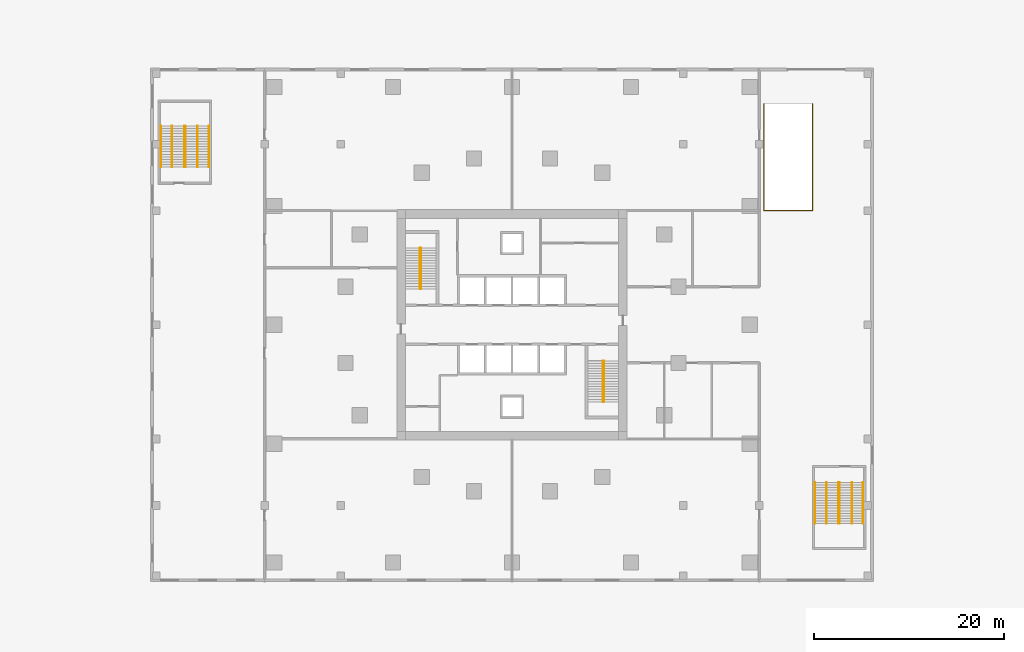
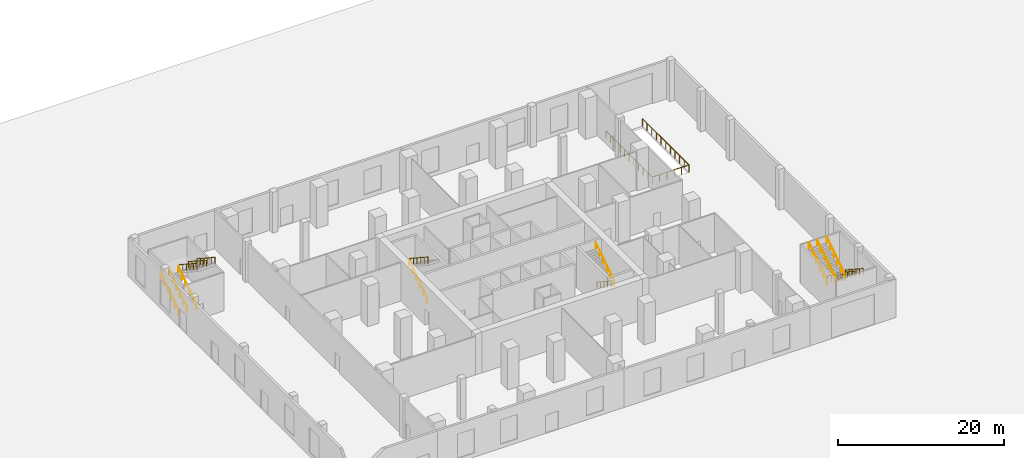
# One storey, part 8 of 8: 17 railings, 4 elements without a shape of their own.
"""IFC4 building model written with IfcOpenShell, lengths in metres."""

from ifc_helpers import new_model, si_unit, direction, frame, origin, origin_2d, place, context, subcontext, project, spatial, circle, extrude, material, type_object, element, aggregate, save


model = new_model("IFC4")

# Units and contexts
model_context = context("Model", 3, precision=1e-05, world=origin(), true_north=direction((0.0, 1.0)))
body_context = subcontext(model_context, "Body", "Model", "MODEL_VIEW")
ifc_project = project(units=[si_unit("LENGTHUNIT", "METRE"), si_unit("AREAUNIT", "SQUARE_METRE"), si_unit("VOLUMEUNIT", "CUBIC_METRE"), si_unit("PLANEANGLEUNIT", "RADIAN"), si_unit("MASSUNIT", "GRAM", prefix="KILO")], contexts=[model_context])

# Site, building, storey
site_placement = place(None, origin())
site = spatial("IfcSite", under=ifc_project, at=site_placement, CompositionType="ELEMENT")
building_placement = place(site_placement, origin())
building = spatial("IfcBuilding", under=site, at=building_placement, Name="Torsade Residences", CompositionType="ELEMENT")
storey_placement = place(building_placement, origin())
storey = spatial("IfcBuildingStorey", under=building, at=storey_placement, Name="L00", CompositionType="ELEMENT", Elevation=0.0)

# Railing
ifc_material_1 = material(Name="Galvanised steel guard rail", Category="steel")
railing_type_1 = type_object("IfcRailingType", Name="RAMP OPENING GUARD 1100", PredefinedType="GUARDRAIL", material=ifc_material_1)
railing_1_placement = place(storey_placement, frame((66.5, 53.199951171875, 0.0)))
element("IfcRailing", 1, at=railing_1_placement, inside=storey, type_object=railing_type_1, Name="Ramp opening guard R2 L00", PredefinedType="GUARDRAIL", context=body_context, shape_type="SweptSolid", body=[
    extrude(circle(Radius=0.02392578125, at=origin_2d()), frame((0.0, 0.0, 1.076171875), z_axis=(0.0, -1.0, 0.0), x_axis=(1.0, 0.0, 0.0)), (0.0, 0.0, 1.0), 11.199951171875),
    extrude(circle(Radius=0.02392578125, at=origin_2d()), frame((0.0, -11.199951171875, 1.076171875), z_axis=(1.0, 0.0, 0.0), x_axis=(0.0, 1.0, 0.0)), (0.0, 0.0, 1.0), 5.10009765625),
    extrude(circle(Radius=0.02392578125, at=origin_2d()), frame((5.10009765625, -11.199951171875, 1.076171875), z_axis=(0.0, 1.0, 0.0), x_axis=(-1.0, 0.0, 0.0)), (0.0, 0.0, 1.0), 11.199951171875),
    extrude(circle(Radius=0.02099609375, at=origin_2d()), origin(), (0.0, 0.0, 1.0), 1.052001953125),
    extrude(circle(Radius=0.02099609375, at=origin_2d()), frame((0.0, -1.1201171875, 0.0)), (0.0, 0.0, 1.0), 1.052001953125),
    extrude(circle(Radius=0.02099609375, at=origin_2d()), frame((0.0, -2.239990234375, 0.0)), (0.0, 0.0, 1.0), 1.052001953125),
    extrude(circle(Radius=0.02099609375, at=origin_2d()), frame((0.0, -3.35986328125, 0.0)), (0.0, 0.0, 1.0), 1.052001953125),
    extrude(circle(Radius=0.02099609375, at=origin_2d()), frame((0.0, -4.47998046875, 0.0)), (0.0, 0.0, 1.0), 1.052001953125),
    extrude(circle(Radius=0.02099609375, at=origin_2d()), frame((0.0, -5.60009765625, 0.0)), (0.0, 0.0, 1.0), 1.052001953125),
    extrude(circle(Radius=0.02099609375, at=origin_2d()), frame((0.0, -6.719970703125, 0.0)), (0.0, 0.0, 1.0), 1.052001953125),
    extrude(circle(Radius=0.02099609375, at=origin_2d()), frame((0.0, -7.83984375, 0.0)), (0.0, 0.0, 1.0), 1.052001953125),
    extrude(circle(Radius=0.02099609375, at=origin_2d()), frame((0.0, -8.9599609375, 0.0)), (0.0, 0.0, 1.0), 1.052001953125),
    extrude(circle(Radius=0.02099609375, at=origin_2d()), frame((0.0, -10.080078125, 0.0)), (0.0, 0.0, 1.0), 1.052001953125),
    extrude(circle(Radius=0.02099609375, at=origin_2d()), frame((0.0, -11.199951171875, 0.0)), (0.0, 0.0, 1.0), 1.052001953125),
    extrude(circle(Radius=0.02099609375, at=origin_2d()), frame((1.02001953125, -11.199951171875, 0.0)), (0.0, 0.0, 1.0), 1.052001953125),
    extrude(circle(Radius=0.02099609375, at=origin_2d()), frame((2.0400390625, -11.199951171875, 0.0)), (0.0, 0.0, 1.0), 1.052001953125),
    extrude(circle(Radius=0.02099609375, at=origin_2d()), frame((3.06005859375, -11.199951171875, 0.0)), (0.0, 0.0, 1.0), 1.052001953125),
    extrude(circle(Radius=0.02099609375, at=origin_2d()), frame((4.080078125, -11.199951171875, 0.0)), (0.0, 0.0, 1.0), 1.052001953125),
    extrude(circle(Radius=0.02099609375, at=origin_2d()), frame((5.10009765625, -11.199951171875, 0.0)), (0.0, 0.0, 1.0), 1.052001953125),
    extrude(circle(Radius=0.02099609375, at=origin_2d()), frame((5.10009765625, -10.080078125, 0.0)), (0.0, 0.0, 1.0), 1.052001953125),
    extrude(circle(Radius=0.02099609375, at=origin_2d()), frame((5.10009765625, -8.9599609375, 0.0)), (0.0, 0.0, 1.0), 1.052001953125),
    extrude(circle(Radius=0.02099609375, at=origin_2d()), frame((5.10009765625, -7.83984375, 0.0)), (0.0, 0.0, 1.0), 1.052001953125),
    extrude(circle(Radius=0.02099609375, at=origin_2d()), frame((5.10009765625, -6.719970703125, 0.0)), (0.0, 0.0, 1.0), 1.052001953125),
    extrude(circle(Radius=0.02099609375, at=origin_2d()), frame((5.10009765625, -5.60009765625, 0.0)), (0.0, 0.0, 1.0), 1.052001953125),
    extrude(circle(Radius=0.02099609375, at=origin_2d()), frame((5.10009765625, -4.47998046875, 0.0)), (0.0, 0.0, 1.0), 1.052001953125),
    extrude(circle(Radius=0.02099609375, at=origin_2d()), frame((5.10009765625, -3.360107421875, 0.0)), (0.0, 0.0, 1.0), 1.052001953125),
    extrude(circle(Radius=0.02099609375, at=origin_2d()), frame((5.10009765625, -2.239990234375, 0.0)), (0.0, 0.0, 1.0), 1.052001953125),
    extrude(circle(Radius=0.02099609375, at=origin_2d()), frame((5.10009765625, -1.1201171875, 0.0)), (0.0, 0.0, 1.0), 1.052001953125),
    extrude(circle(Radius=0.02099609375, at=origin_2d()), frame((5.10009765625, 0.0, 0.0)), (0.0, 0.0, 1.0), 1.052001953125),
])

# Stair, railings
ifc_material_2 = material(Name="Precast concrete 40 MPa", Category="concrete")
stair_type_1 = type_object("IfcStairType", Name="HALF-TURN FIRE STAIR 1500x6000", PredefinedType="HALF_TURN_STAIR", material=ifc_material_2)
stair_1_placement = place(storey_placement, origin())
stair_1 = element("IfcStair", 2, at=stair_1_placement, inside=storey, type_object=stair_type_1, Name="Stair ST1 L00", PredefinedType="HALF_TURN_STAIR")
ifc_material_3 = material(Name="Steel handrail", Category="steel")
railing_type_2 = type_object("IfcRailingType", Name="STAIR HANDRAIL 900", PredefinedType="HANDRAIL", material=ifc_material_3)
railing_2_placement = place(storey_placement, frame((30.35009765625, 33.780029296875, 0.176513671875)))
railing_2 = element("IfcRailing", 3, at=railing_2_placement, type_object=railing_type_2, Name="Handrail ST1 flight 1 L00", PredefinedType="HANDRAIL", context=body_context, shape_type="SweptSolid", body=[
    extrude(circle(Radius=0.02392578125, at=origin_2d()), frame((0.0, 0.0, 0.8759765625), z_axis=(0.0, 0.837073769319, 0.547090033466), x_axis=(-1.0, 0.0, 0.0)), (0.0, 0.0, 1.0), 5.160888671875),
    extrude(circle(Radius=0.02099609375, at=origin_2d()), origin(), (0.0, 0.0, 1.0), 0.851806640625),
    extrude(circle(Radius=0.02099609375, at=origin_2d()), frame((0.0, 0.864013671875, 0.564697265625)), (0.0, 0.0, 1.0), 0.851806640625),
    extrude(circle(Radius=0.02099609375, at=origin_2d()), frame((0.0, 1.72802734375, 1.12939453125)), (0.0, 0.0, 1.0), 0.851806640625),
    extrude(circle(Radius=0.02099609375, at=origin_2d()), frame((0.0, 2.592041015625, 1.694091796875)), (0.0, 0.0, 1.0), 0.851806640625),
    extrude(circle(Radius=0.02099609375, at=origin_2d()), frame((0.0, 3.4560546875, 2.2587890625)), (0.0, 0.0, 1.0), 0.851806640625),
    extrude(circle(Radius=0.02099609375, at=origin_2d()), frame((0.0, 4.320068359375, 2.823486328125)), (0.0, 0.0, 1.0), 0.851806640625),
])
railing_3_placement = place(storey_placement, frame((30.449951171875, 38.10009765625, 3.176513671875)))
railing_3 = element("IfcRailing", 4, at=railing_3_placement, type_object=railing_type_2, Name="Handrail ST1 flight 2 L00", PredefinedType="HANDRAIL", context=body_context, shape_type="SweptSolid", body=[
    extrude(circle(Radius=0.02392578125, at=origin_2d()), frame((0.0, 0.0, 0.8759765625), z_axis=(0.0, -0.837073769319, 0.547090033466), x_axis=(1.0, 0.0, 0.0)), (0.0, 0.0, 1.0), 5.160888671875),
    extrude(circle(Radius=0.02099609375, at=origin_2d()), origin(), (0.0, 0.0, 1.0), 0.851806640625),
    extrude(circle(Radius=0.02099609375, at=origin_2d()), frame((0.0, -0.864013671875, 0.564697265625)), (0.0, 0.0, 1.0), 0.851806640625),
    extrude(circle(Radius=0.02099609375, at=origin_2d()), frame((0.0, -1.72802734375, 1.12939453125)), (0.0, 0.0, 1.0), 0.851806640625),
    extrude(circle(Radius=0.02099609375, at=origin_2d()), frame((0.0, -2.592041015625, 1.694091796875)), (0.0, 0.0, 1.0), 0.851806640625),
    extrude(circle(Radius=0.02099609375, at=origin_2d()), frame((0.0, -3.4560546875, 2.2587890625)), (0.0, 0.0, 1.0), 0.851806640625),
    extrude(circle(Radius=0.02099609375, at=origin_2d()), frame((0.0, -4.320068359375, 2.823486328125)), (0.0, 0.0, 1.0), 0.851806640625),
])
aggregate(stair_1, [railing_2, railing_3])

stair_2_placement = place(storey_placement, origin())
stair_2 = element("IfcStair", 5, at=stair_2_placement, inside=storey, type_object=stair_type_1, Name="Stair ST2 L00", PredefinedType="HALF_TURN_STAIR")
railing_4_placement = place(storey_placement, frame((49.64990234375, 26.219970703125, 0.176513671875)))
railing_4 = element("IfcRailing", 6, at=railing_4_placement, type_object=railing_type_2, Name="Handrail ST2 flight 1 L00", PredefinedType="HANDRAIL", context=body_context, shape_type="SweptSolid", body=[
    extrude(circle(Radius=0.02392578125, at=origin_2d()), frame((0.0, 0.0, 0.8759765625), z_axis=(0.0, -0.837073769319, 0.547090033466), x_axis=(1.0, 0.0, 0.0)), (0.0, 0.0, 1.0), 5.160888671875),
    extrude(circle(Radius=0.02099609375, at=origin_2d()), origin(), (0.0, 0.0, 1.0), 0.851806640625),
    extrude(circle(Radius=0.02099609375, at=origin_2d()), frame((0.0, -0.864013671875, 0.564697265625)), (0.0, 0.0, 1.0), 0.851806640625),
    extrude(circle(Radius=0.02099609375, at=origin_2d()), frame((0.0, -1.72802734375, 1.12939453125)), (0.0, 0.0, 1.0), 0.851806640625),
    extrude(circle(Radius=0.02099609375, at=origin_2d()), frame((0.0, -2.592041015625, 1.694091796875)), (0.0, 0.0, 1.0), 0.851806640625),
    extrude(circle(Radius=0.02099609375, at=origin_2d()), frame((0.0, -3.4560546875, 2.2587890625)), (0.0, 0.0, 1.0), 0.851806640625),
    extrude(circle(Radius=0.02099609375, at=origin_2d()), frame((0.0, -4.320068359375, 2.823486328125)), (0.0, 0.0, 1.0), 0.851806640625),
])
railing_5_placement = place(storey_placement, frame((49.550048828125, 21.89990234375, 3.176513671875)))
railing_5 = element("IfcRailing", 7, at=railing_5_placement, type_object=railing_type_2, Name="Handrail ST2 flight 2 L00", PredefinedType="HANDRAIL", context=body_context, shape_type="SweptSolid", body=[
    extrude(circle(Radius=0.02392578125, at=origin_2d()), frame((0.0, 0.0, 0.8759765625), z_axis=(0.0, 0.837073769319, 0.547090033466), x_axis=(-1.0, 0.0, 0.0)), (0.0, 0.0, 1.0), 5.160888671875),
    extrude(circle(Radius=0.02099609375, at=origin_2d()), origin(), (0.0, 0.0, 1.0), 0.851806640625),
    extrude(circle(Radius=0.02099609375, at=origin_2d()), frame((0.0, 0.864013671875, 0.564697265625)), (0.0, 0.0, 1.0), 0.851806640625),
    extrude(circle(Radius=0.02099609375, at=origin_2d()), frame((0.0, 1.72802734375, 1.12939453125)), (0.0, 0.0, 1.0), 0.851806640625),
    extrude(circle(Radius=0.02099609375, at=origin_2d()), frame((0.0, 2.592041015625, 1.694091796875)), (0.0, 0.0, 1.0), 0.851806640625),
    extrude(circle(Radius=0.02099609375, at=origin_2d()), frame((0.0, 3.4560546875, 2.2587890625)), (0.0, 0.0, 1.0), 0.851806640625),
    extrude(circle(Radius=0.02099609375, at=origin_2d()), frame((0.0, 4.320068359375, 2.823486328125)), (0.0, 0.0, 1.0), 0.851806640625),
])
aggregate(stair_2, [railing_4, railing_5])

ifc_material_4 = material(Name="Concrete 40 MPa", Category="concrete")
stair_type_2 = type_object("IfcStairType", Name="HALF-TURN PODIUM STAIR 2500x6000", PredefinedType="HALF_TURN_STAIR", material=ifc_material_4)
stair_3_placement = place(storey_placement, origin())
stair_3 = element("IfcStair", 8, at=stair_3_placement, inside=storey, type_object=stair_type_2, Name="Stair ST3 L00", PredefinedType="HALF_TURN_STAIR")
railing_6_placement = place(storey_placement, frame((5.550048828125, 46.580078125, 0.176513671875)))
railing_6 = element("IfcRailing", 9, at=railing_6_placement, type_object=railing_type_2, Name="Handrail ST3 flight 1 L00", PredefinedType="HANDRAIL", context=body_context, shape_type="SweptSolid", body=[
    extrude(circle(Radius=0.02392578125, at=origin_2d()), frame((0.0, 0.0, 0.8759765625), z_axis=(0.0, 0.837059609537, 0.547111697994), x_axis=(-1.0, 0.0, 0.0)), (0.0, 0.0, 1.0), 5.16064453125),
    extrude(circle(Radius=0.02099609375, at=origin_2d()), origin(), (0.0, 0.0, 1.0), 0.851806640625),
    extrude(circle(Radius=0.02099609375, at=origin_2d()), frame((0.0, 0.864013671875, 0.564697265625)), (0.0, 0.0, 1.0), 0.851806640625),
    extrude(circle(Radius=0.02099609375, at=origin_2d()), frame((0.0, 1.72802734375, 1.12939453125)), (0.0, 0.0, 1.0), 0.851806640625),
    extrude(circle(Radius=0.02099609375, at=origin_2d()), frame((0.0, 2.591796875, 1.694091796875)), (0.0, 0.0, 1.0), 0.851806640625),
    extrude(circle(Radius=0.02099609375, at=origin_2d()), frame((0.0, 3.455810546875, 2.2587890625)), (0.0, 0.0, 1.0), 0.851806640625),
    extrude(circle(Radius=0.02099609375, at=origin_2d()), frame((0.0, 4.31982421875, 2.823486328125)), (0.0, 0.0, 1.0), 0.851806640625),
])
railing_7_placement = place(storey_placement, frame((3.073974609375, 46.580078125, 0.176513671875)))
railing_7 = element("IfcRailing", 10, at=railing_7_placement, type_object=railing_type_2, Name="Handrail ST3 flight 1 wall side L00", PredefinedType="HANDRAIL", context=body_context, shape_type="SweptSolid", body=[
    extrude(circle(Radius=0.02392578125, at=origin_2d()), frame((0.0, 0.0, 0.8759765625), z_axis=(0.0, 0.837059609537, 0.547111697994), x_axis=(-1.0, 0.0, 0.0)), (0.0, 0.0, 1.0), 5.16064453125),
    extrude(circle(Radius=0.02099609375, at=origin_2d()), origin(), (0.0, 0.0, 1.0), 0.851806640625),
    extrude(circle(Radius=0.02099609375, at=origin_2d()), frame((0.0, 0.864013671875, 0.564697265625)), (0.0, 0.0, 1.0), 0.851806640625),
    extrude(circle(Radius=0.02099609375, at=origin_2d()), frame((0.0, 1.72802734375, 1.12939453125)), (0.0, 0.0, 1.0), 0.851806640625),
    extrude(circle(Radius=0.02099609375, at=origin_2d()), frame((0.0, 2.591796875, 1.694091796875)), (0.0, 0.0, 1.0), 0.851806640625),
    extrude(circle(Radius=0.02099609375, at=origin_2d()), frame((0.0, 3.455810546875, 2.2587890625)), (0.0, 0.0, 1.0), 0.851806640625),
    extrude(circle(Radius=0.02099609375, at=origin_2d()), frame((0.0, 4.31982421875, 2.823486328125)), (0.0, 0.0, 1.0), 0.851806640625),
])
railing_8_placement = place(storey_placement, frame((4.25, 46.580078125, 0.176513671875)))
railing_8 = element("IfcRailing", 11, at=railing_8_placement, type_object=railing_type_2, Name="Handrail ST3 flight 1 intermediate L00", PredefinedType="HANDRAIL", context=body_context, shape_type="SweptSolid", body=[
    extrude(circle(Radius=0.02392578125, at=origin_2d()), frame((0.0, 0.0, 0.8759765625), z_axis=(0.0, 0.837059609537, 0.547111697994), x_axis=(-1.0, 0.0, 0.0)), (0.0, 0.0, 1.0), 5.16064453125),
    extrude(circle(Radius=0.02099609375, at=origin_2d()), origin(), (0.0, 0.0, 1.0), 0.851806640625),
    extrude(circle(Radius=0.02099609375, at=origin_2d()), frame((0.0, 0.864013671875, 0.564697265625)), (0.0, 0.0, 1.0), 0.851806640625),
    extrude(circle(Radius=0.02099609375, at=origin_2d()), frame((0.0, 1.72802734375, 1.12939453125)), (0.0, 0.0, 1.0), 0.851806640625),
    extrude(circle(Radius=0.02099609375, at=origin_2d()), frame((0.0, 2.591796875, 1.694091796875)), (0.0, 0.0, 1.0), 0.851806640625),
    extrude(circle(Radius=0.02099609375, at=origin_2d()), frame((0.0, 3.455810546875, 2.2587890625)), (0.0, 0.0, 1.0), 0.851806640625),
    extrude(circle(Radius=0.02099609375, at=origin_2d()), frame((0.0, 4.31982421875, 2.823486328125)), (0.0, 0.0, 1.0), 0.851806640625),
])
railing_9_placement = place(storey_placement, frame((5.64990234375, 50.89990234375, 3.176513671875)))
railing_9 = element("IfcRailing", 12, at=railing_9_placement, type_object=railing_type_2, Name="Handrail ST3 flight 2 L00", PredefinedType="HANDRAIL", context=body_context, shape_type="SweptSolid", body=[
    extrude(circle(Radius=0.02392578125, at=origin_2d()), frame((0.0, 0.0, 0.8759765625), z_axis=(0.0, -0.837059609537, 0.547111697994), x_axis=(1.0, 0.0, 0.0)), (0.0, 0.0, 1.0), 5.16064453125),
    extrude(circle(Radius=0.02099609375, at=origin_2d()), origin(), (0.0, 0.0, 1.0), 0.851806640625),
    extrude(circle(Radius=0.02099609375, at=origin_2d()), frame((0.0, -0.864013671875, 0.564697265625)), (0.0, 0.0, 1.0), 0.851806640625),
    extrude(circle(Radius=0.02099609375, at=origin_2d()), frame((0.0, -1.72802734375, 1.12939453125)), (0.0, 0.0, 1.0), 0.851806640625),
    extrude(circle(Radius=0.02099609375, at=origin_2d()), frame((0.0, -2.591796875, 1.694091796875)), (0.0, 0.0, 1.0), 0.851806640625),
    extrude(circle(Radius=0.02099609375, at=origin_2d()), frame((0.0, -3.455810546875, 2.2587890625)), (0.0, 0.0, 1.0), 0.851806640625),
    extrude(circle(Radius=0.02099609375, at=origin_2d()), frame((0.0, -4.31982421875, 2.823486328125)), (0.0, 0.0, 1.0), 0.851806640625),
])
railing_10_placement = place(storey_placement, frame((8.1259765625, 50.89990234375, 3.176513671875)))
railing_10 = element("IfcRailing", 13, at=railing_10_placement, type_object=railing_type_2, Name="Handrail ST3 flight 2 wall side L00", PredefinedType="HANDRAIL", context=body_context, shape_type="SweptSolid", body=[
    extrude(circle(Radius=0.02392578125, at=origin_2d()), frame((0.0, 0.0, 0.8759765625), z_axis=(0.0, -0.837059609537, 0.547111697994), x_axis=(1.0, 0.0, 0.0)), (0.0, 0.0, 1.0), 5.16064453125),
    extrude(circle(Radius=0.02099609375, at=origin_2d()), origin(), (0.0, 0.0, 1.0), 0.851806640625),
    extrude(circle(Radius=0.02099609375, at=origin_2d()), frame((0.0, -0.864013671875, 0.564697265625)), (0.0, 0.0, 1.0), 0.851806640625),
    extrude(circle(Radius=0.02099609375, at=origin_2d()), frame((0.0, -1.72802734375, 1.12939453125)), (0.0, 0.0, 1.0), 0.851806640625),
    extrude(circle(Radius=0.02099609375, at=origin_2d()), frame((0.0, -2.591796875, 1.694091796875)), (0.0, 0.0, 1.0), 0.851806640625),
    extrude(circle(Radius=0.02099609375, at=origin_2d()), frame((0.0, -3.455810546875, 2.2587890625)), (0.0, 0.0, 1.0), 0.851806640625),
    extrude(circle(Radius=0.02099609375, at=origin_2d()), frame((0.0, -4.31982421875, 2.823486328125)), (0.0, 0.0, 1.0), 0.851806640625),
])
railing_11_placement = place(storey_placement, frame((6.949951171875, 50.89990234375, 3.176513671875)))
railing_11 = element("IfcRailing", 14, at=railing_11_placement, type_object=railing_type_2, Name="Handrail ST3 flight 2 intermediate L00", PredefinedType="HANDRAIL", context=body_context, shape_type="SweptSolid", body=[
    extrude(circle(Radius=0.02392578125, at=origin_2d()), frame((0.0, 0.0, 0.8759765625), z_axis=(0.0, -0.837059609537, 0.547111697994), x_axis=(1.0, 0.0, 0.0)), (0.0, 0.0, 1.0), 5.16064453125),
    extrude(circle(Radius=0.02099609375, at=origin_2d()), origin(), (0.0, 0.0, 1.0), 0.851806640625),
    extrude(circle(Radius=0.02099609375, at=origin_2d()), frame((0.0, -0.864013671875, 0.564697265625)), (0.0, 0.0, 1.0), 0.851806640625),
    extrude(circle(Radius=0.02099609375, at=origin_2d()), frame((0.0, -1.72802734375, 1.12939453125)), (0.0, 0.0, 1.0), 0.851806640625),
    extrude(circle(Radius=0.02099609375, at=origin_2d()), frame((0.0, -2.591796875, 1.694091796875)), (0.0, 0.0, 1.0), 0.851806640625),
    extrude(circle(Radius=0.02099609375, at=origin_2d()), frame((0.0, -3.455810546875, 2.2587890625)), (0.0, 0.0, 1.0), 0.851806640625),
    extrude(circle(Radius=0.02099609375, at=origin_2d()), frame((0.0, -4.31982421875, 2.823486328125)), (0.0, 0.0, 1.0), 0.851806640625),
])
aggregate(stair_3, [railing_6, railing_7, railing_8, railing_9, railing_10, railing_11])

stair_4_placement = place(storey_placement, origin())
stair_4 = element("IfcStair", 15, at=stair_4_placement, inside=storey, type_object=stair_type_2, Name="Stair ST4 L00", PredefinedType="HALF_TURN_STAIR")
railing_12_placement = place(storey_placement, frame((74.449951171875, 13.419921875, 0.176513671875)))
railing_12 = element("IfcRailing", 16, at=railing_12_placement, type_object=railing_type_2, Name="Handrail ST4 flight 1 L00", PredefinedType="HANDRAIL", context=body_context, shape_type="SweptSolid", body=[
    extrude(circle(Radius=0.02392578125, at=origin_2d()), frame((0.0, 0.0, 0.8759765625), z_axis=(0.0, -0.837059609537, 0.547111697994), x_axis=(1.0, 0.0, 0.0)), (0.0, 0.0, 1.0), 5.16064453125),
    extrude(circle(Radius=0.02099609375, at=origin_2d()), origin(), (0.0, 0.0, 1.0), 0.851806640625),
    extrude(circle(Radius=0.02099609375, at=origin_2d()), frame((0.0, -0.864013671875, 0.564697265625)), (0.0, 0.0, 1.0), 0.851806640625),
    extrude(circle(Radius=0.02099609375, at=origin_2d()), frame((0.0, -1.72802734375, 1.12939453125)), (0.0, 0.0, 1.0), 0.851806640625),
    extrude(circle(Radius=0.02099609375, at=origin_2d()), frame((0.0, -2.591796875, 1.694091796875)), (0.0, 0.0, 1.0), 0.851806640625),
    extrude(circle(Radius=0.02099609375, at=origin_2d()), frame((0.0, -3.455810546875, 2.2587890625)), (0.0, 0.0, 1.0), 0.851806640625),
    extrude(circle(Radius=0.02099609375, at=origin_2d()), frame((0.0, -4.31982421875, 2.823486328125)), (0.0, 0.0, 1.0), 0.851806640625),
])
railing_13_placement = place(storey_placement, frame((76.926025390625, 13.419921875, 0.176513671875)))
railing_13 = element("IfcRailing", 17, at=railing_13_placement, type_object=railing_type_2, Name="Handrail ST4 flight 1 wall side L00", PredefinedType="HANDRAIL", context=body_context, shape_type="SweptSolid", body=[
    extrude(circle(Radius=0.02392578125, at=origin_2d()), frame((0.0, 0.0, 0.8759765625), z_axis=(0.0, -0.837059609537, 0.547111697994), x_axis=(1.0, 0.0, 0.0)), (0.0, 0.0, 1.0), 5.16064453125),
    extrude(circle(Radius=0.02099609375, at=origin_2d()), origin(), (0.0, 0.0, 1.0), 0.851806640625),
    extrude(circle(Radius=0.02099609375, at=origin_2d()), frame((0.0, -0.864013671875, 0.564697265625)), (0.0, 0.0, 1.0), 0.851806640625),
    extrude(circle(Radius=0.02099609375, at=origin_2d()), frame((0.0, -1.72802734375, 1.12939453125)), (0.0, 0.0, 1.0), 0.851806640625),
    extrude(circle(Radius=0.02099609375, at=origin_2d()), frame((0.0, -2.591796875, 1.694091796875)), (0.0, 0.0, 1.0), 0.851806640625),
    extrude(circle(Radius=0.02099609375, at=origin_2d()), frame((0.0, -3.455810546875, 2.2587890625)), (0.0, 0.0, 1.0), 0.851806640625),
    extrude(circle(Radius=0.02099609375, at=origin_2d()), frame((0.0, -4.31982421875, 2.823486328125)), (0.0, 0.0, 1.0), 0.851806640625),
])
railing_14_placement = place(storey_placement, frame((75.75, 13.419921875, 0.176513671875)))
railing_14 = element("IfcRailing", 18, at=railing_14_placement, type_object=railing_type_2, Name="Handrail ST4 flight 1 intermediate L00", PredefinedType="HANDRAIL", context=body_context, shape_type="SweptSolid", body=[
    extrude(circle(Radius=0.02392578125, at=origin_2d()), frame((0.0, 0.0, 0.8759765625), z_axis=(0.0, -0.837059609537, 0.547111697994), x_axis=(1.0, 0.0, 0.0)), (0.0, 0.0, 1.0), 5.16064453125),
    extrude(circle(Radius=0.02099609375, at=origin_2d()), origin(), (0.0, 0.0, 1.0), 0.851806640625),
    extrude(circle(Radius=0.02099609375, at=origin_2d()), frame((0.0, -0.864013671875, 0.564697265625)), (0.0, 0.0, 1.0), 0.851806640625),
    extrude(circle(Radius=0.02099609375, at=origin_2d()), frame((0.0, -1.72802734375, 1.12939453125)), (0.0, 0.0, 1.0), 0.851806640625),
    extrude(circle(Radius=0.02099609375, at=origin_2d()), frame((0.0, -2.591796875, 1.694091796875)), (0.0, 0.0, 1.0), 0.851806640625),
    extrude(circle(Radius=0.02099609375, at=origin_2d()), frame((0.0, -3.455810546875, 2.2587890625)), (0.0, 0.0, 1.0), 0.851806640625),
    extrude(circle(Radius=0.02099609375, at=origin_2d()), frame((0.0, -4.31982421875, 2.823486328125)), (0.0, 0.0, 1.0), 0.851806640625),
])
railing_15_placement = place(storey_placement, frame((74.35009765625, 9.10009765625, 3.176513671875)))
railing_15 = element("IfcRailing", 19, at=railing_15_placement, type_object=railing_type_2, Name="Handrail ST4 flight 2 L00", PredefinedType="HANDRAIL", context=body_context, shape_type="SweptSolid", body=[
    extrude(circle(Radius=0.02392578125, at=origin_2d()), frame((0.0, 0.0, 0.8759765625), z_axis=(0.0, 0.837059609537, 0.547111697994), x_axis=(-1.0, 0.0, 0.0)), (0.0, 0.0, 1.0), 5.16064453125),
    extrude(circle(Radius=0.02099609375, at=origin_2d()), origin(), (0.0, 0.0, 1.0), 0.851806640625),
    extrude(circle(Radius=0.02099609375, at=origin_2d()), frame((0.0, 0.864013671875, 0.564697265625)), (0.0, 0.0, 1.0), 0.851806640625),
    extrude(circle(Radius=0.02099609375, at=origin_2d()), frame((0.0, 1.72802734375, 1.12939453125)), (0.0, 0.0, 1.0), 0.851806640625),
    extrude(circle(Radius=0.02099609375, at=origin_2d()), frame((0.0, 2.591796875, 1.694091796875)), (0.0, 0.0, 1.0), 0.851806640625),
    extrude(circle(Radius=0.02099609375, at=origin_2d()), frame((0.0, 3.455810546875, 2.2587890625)), (0.0, 0.0, 1.0), 0.851806640625),
    extrude(circle(Radius=0.02099609375, at=origin_2d()), frame((0.0, 4.31982421875, 2.823486328125)), (0.0, 0.0, 1.0), 0.851806640625),
])
railing_16_placement = place(storey_placement, frame((71.8740234375, 9.10009765625, 3.176513671875)))
railing_16 = element("IfcRailing", 20, at=railing_16_placement, type_object=railing_type_2, Name="Handrail ST4 flight 2 wall side L00", PredefinedType="HANDRAIL", context=body_context, shape_type="SweptSolid", body=[
    extrude(circle(Radius=0.02392578125, at=origin_2d()), frame((0.0, 0.0, 0.8759765625), z_axis=(0.0, 0.837059609537, 0.547111697994), x_axis=(-1.0, 0.0, 0.0)), (0.0, 0.0, 1.0), 5.16064453125),
    extrude(circle(Radius=0.02099609375, at=origin_2d()), origin(), (0.0, 0.0, 1.0), 0.851806640625),
    extrude(circle(Radius=0.02099609375, at=origin_2d()), frame((0.0, 0.864013671875, 0.564697265625)), (0.0, 0.0, 1.0), 0.851806640625),
    extrude(circle(Radius=0.02099609375, at=origin_2d()), frame((0.0, 1.72802734375, 1.12939453125)), (0.0, 0.0, 1.0), 0.851806640625),
    extrude(circle(Radius=0.02099609375, at=origin_2d()), frame((0.0, 2.591796875, 1.694091796875)), (0.0, 0.0, 1.0), 0.851806640625),
    extrude(circle(Radius=0.02099609375, at=origin_2d()), frame((0.0, 3.455810546875, 2.2587890625)), (0.0, 0.0, 1.0), 0.851806640625),
    extrude(circle(Radius=0.02099609375, at=origin_2d()), frame((0.0, 4.31982421875, 2.823486328125)), (0.0, 0.0, 1.0), 0.851806640625),
])
railing_17_placement = place(storey_placement, frame((73.050048828125, 9.10009765625, 3.176513671875)))
railing_17 = element("IfcRailing", 21, at=railing_17_placement, type_object=railing_type_2, Name="Handrail ST4 flight 2 intermediate L00", PredefinedType="HANDRAIL", context=body_context, shape_type="SweptSolid", body=[
    extrude(circle(Radius=0.02392578125, at=origin_2d()), frame((0.0, 0.0, 0.8759765625), z_axis=(0.0, 0.837059609537, 0.547111697994), x_axis=(-1.0, 0.0, 0.0)), (0.0, 0.0, 1.0), 5.16064453125),
    extrude(circle(Radius=0.02099609375, at=origin_2d()), origin(), (0.0, 0.0, 1.0), 0.851806640625),
    extrude(circle(Radius=0.02099609375, at=origin_2d()), frame((0.0, 0.864013671875, 0.564697265625)), (0.0, 0.0, 1.0), 0.851806640625),
    extrude(circle(Radius=0.02099609375, at=origin_2d()), frame((0.0, 1.72802734375, 1.12939453125)), (0.0, 0.0, 1.0), 0.851806640625),
    extrude(circle(Radius=0.02099609375, at=origin_2d()), frame((0.0, 2.591796875, 1.694091796875)), (0.0, 0.0, 1.0), 0.851806640625),
    extrude(circle(Radius=0.02099609375, at=origin_2d()), frame((0.0, 3.455810546875, 2.2587890625)), (0.0, 0.0, 1.0), 0.851806640625),
    extrude(circle(Radius=0.02099609375, at=origin_2d()), frame((0.0, 4.31982421875, 2.823486328125)), (0.0, 0.0, 1.0), 0.851806640625),
])
aggregate(stair_4, [railing_12, railing_13, railing_14, railing_15, railing_16, railing_17])

save(model, "model.ifc")
